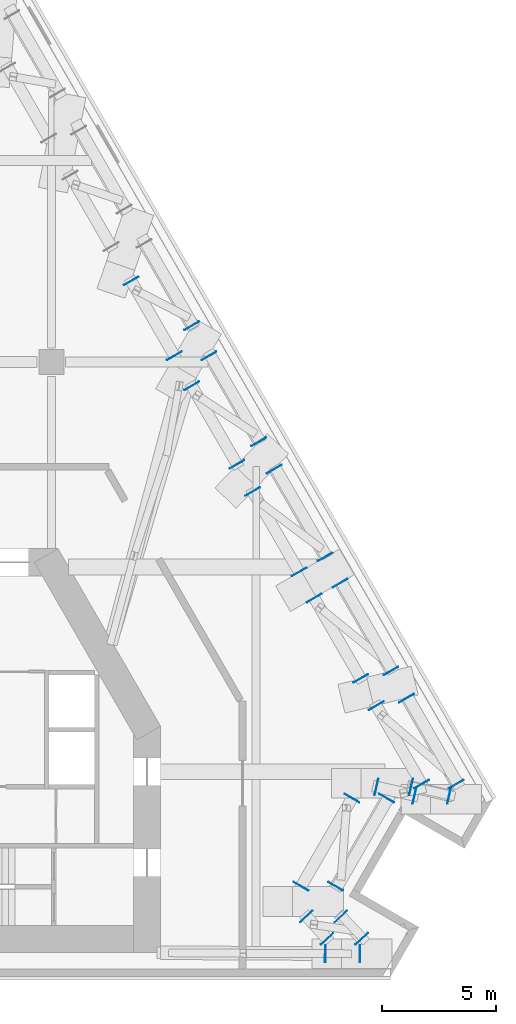
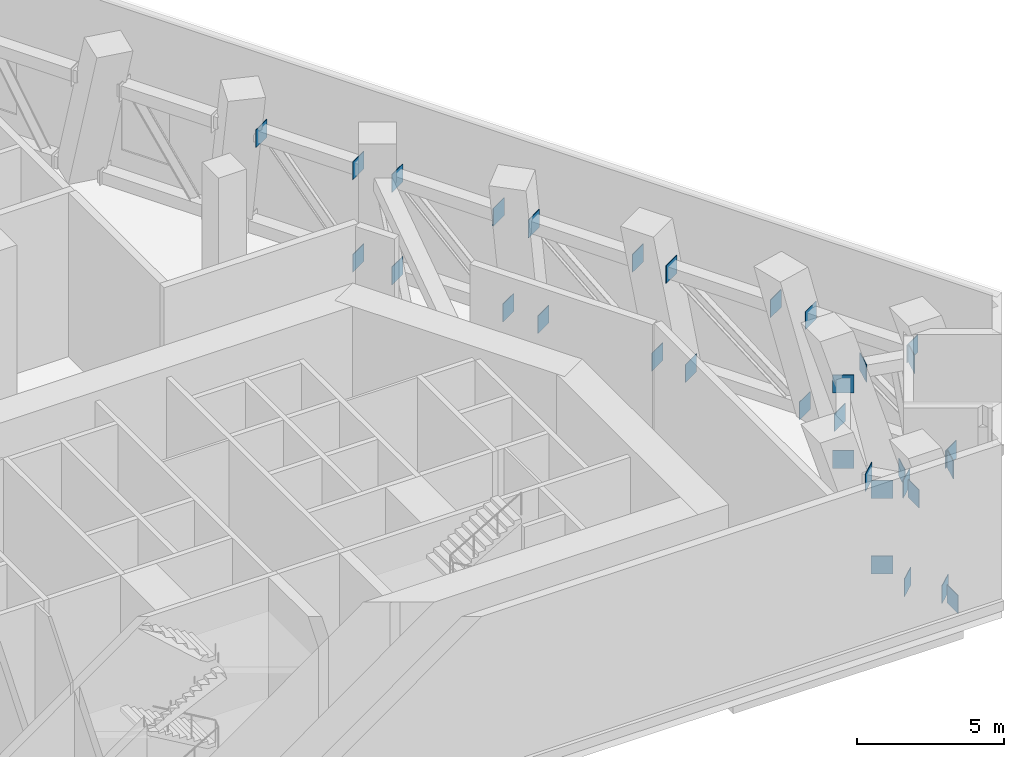
# One storey, part 11 of 13: 33 discrete accessories.
"""IFC4 building model written with IfcOpenShell, lengths in metres."""

from ifc_helpers import new_model, si_unit, direction, frame, origin, origin_2d, place, context, subcontext, project, spatial, rectangle, extrude, material, layer, layer_set, type_object, element, save


model = new_model("IFC4")

# Units and contexts
model_context = context("Model", 3, precision=1e-05, world=origin(), true_north=direction((0.0, 1.0)))
body_context = subcontext(model_context, "Body", "Model", "MODEL_VIEW")
ifc_project = project(units=[si_unit("LENGTHUNIT", "METRE"), si_unit("AREAUNIT", "SQUARE_METRE"), si_unit("VOLUMEUNIT", "CUBIC_METRE"), si_unit("PLANEANGLEUNIT", "RADIAN"), si_unit("MASSUNIT", "GRAM", prefix="KILO")], contexts=[model_context])

# Site, building, storey
site_placement = place(None, origin())
site = spatial("IfcSite", under=ifc_project, at=site_placement, CompositionType="ELEMENT")
building_placement = place(site_placement, origin())
building = spatial("IfcBuilding", under=site, at=building_placement, Name="Fogline Exchange Tower", CompositionType="ELEMENT")
storey_placement = place(building_placement, frame((0.0, 0.0, 174.89990234375)))
storey = spatial("IfcBuildingStorey", under=building, at=storey_placement, Name="L39", CompositionType="ELEMENT", Elevation=174.89990234375)

# Discrete accessories
ifc_material = material(Name="Steel Q355B", Category="steel")
ifc_layer = layer(ifc_material, 0.02490234375)
ifc_layer_set = layer_set([ifc_layer], Name="BE02")
discrete_accessory_type = type_object("IfcDiscreteAccessoryType", Name="BE02", PredefinedType="USERDEFINED", material=ifc_layer_set)
for number, where, z_axis, x_axis, name in (
    (1, (22.5556640625, 1.0, -0.1201171875), (0.0, 0.0, 1.0), (0.999983743695, -0.005701959768, 0.0), "Belt truss chord end plate BT4-2-BC"),
    (2, (21.03515625, 1.0, 4.7802734375), (0.0, 0.0, 1.0), (0.999976200017, -0.006899231799, 0.0), "Belt truss chord end plate BT4-2-TC"),
    (3, (22.635986328125, 1.6591796875, -0.1201171875), (0.0, 0.0, 1.0), (0.68078095751, -0.732487056467, 0.0), "Belt truss chord end plate BT5-1-BC"),
    (4, (21.724609375, 2.639892578125, -0.1201171875), (0.0, 0.0, 1.0), (-0.68078095751, 0.732487056467, 0.0), "Belt truss chord end plate BT5-1-BC"),
    (5, (21.115478515625, 1.6591796875, 4.7802734375), (0.0, 0.0, 1.0), (0.68078095751, -0.732487056467, 0.0), "Belt truss chord end plate BT5-1-TC"),
    (6, (20.2041015625, 2.639892578125, 4.7802734375), (0.0, 0.0, 1.0), (-0.68078095751, 0.732487056467, 0.0), "Belt truss chord end plate BT5-1-TC"),
    (7, (21.493408203125, 3.9599609375, -0.1201171875), (0.0, 0.0, 1.0), (-0.5, -0.866025403784, 0.0), "Belt truss chord end plate BT6-1-BC"),
    (8, (23.73046875, 7.83447265625, -0.1201171875), (0.0, 0.0, 1.0), (0.5, 0.866025403784, 0.0), "Belt truss chord end plate BT6-1-BC"),
    (9, (19.972900390625, 3.9599609375, 4.7802734375), (0.0, 0.0, 1.0), (-0.5, -0.866025403784, 0.0), "Belt truss chord end plate BT6-1-TC"),
    (10, (22.2099609375, 7.83447265625, 4.7802734375), (0.0, 0.0, 1.0), (0.5, 0.866025403784, 0.0), "Belt truss chord end plate BT6-1-TC"),
    (11, (24.8046875, 8.33642578125, -0.1201171875), (0.0, 0.0, 1.0), (-0.974742877599, 0.223330075383, 0.0), "Belt truss chord end plate BT7-1-BC"),
    (12, (26.478759765625, 7.952880859375, -0.1201171875), (0.0, 0.0, 1.0), (0.974742877599, -0.223330075383, 0.0), "Belt truss chord end plate BT7-1-BC"),
    (13, (23.2841796875, 8.33642578125, 4.7802734375), (0.0, 0.0, 1.0), (-0.974742877599, 0.223330075383, 0.0), "Belt truss chord end plate BT7-1-TC"),
    (14, (24.9580078125, 7.952880859375, 4.7802734375), (0.0, 0.0, 1.0), (0.974742877599, -0.223330075383, 0.0), "Belt truss chord end plate BT7-1-TC"),
    (15, (26.789794921875, 8.455078125, -0.1201171875), (0.0, 0.0, 1.0), (0.5, -0.866025403784, 0.0), "Belt truss chord end plate BT8-1-BC"),
    (16, (24.60986328125, 12.23095703125, -0.1201171875), (0.0, 0.0, 1.0), (-0.5, 0.866025403784, 0.0), "Belt truss chord end plate BT8-1-BC"),
    (17, (25.269287109375, 8.455078125, 4.7802734375), (0.0, 0.0, 1.0), (0.5, -0.866025403784, 0.0), "Belt truss chord end plate BT8-1-TC"),
    (18, (23.279296875, 11.90185546875, 4.7802734375), (0.0, 0.0, 1.0), (-0.5, 0.866025403784, 0.0), "Belt truss chord end plate BT8-1-TC"),
    (19, (23.9208984375, 13.424560546875, -0.1201171875), (0.0, 0.0, 1.0), (0.5, -0.866025403784, 0.0), "Belt truss chord end plate BT9-1-BC"),
    (20, (21.6904296875, 17.28759765625, -0.1201171875), (0.0, 0.0, 1.0), (-0.5, 0.866025403784, 0.0), "Belt truss chord end plate BT9-1-BC"),
    (21, (22.59033203125, 13.09521484375, 4.7802734375), (0.0, 0.0, 1.0), (0.5, -0.866025403784, 0.0), "Belt truss chord end plate BT9-1-TC"),
    (22, (20.550048828125, 16.629150390625, 4.7802734375), (0.0, 0.0, 1.0), (-0.5, 0.866025403784, 0.0), "Belt truss chord end plate BT9-1-TC"),
    (23, (21.028076171875, 18.43505859375, -0.1201171875), (0.0, 0.0, 1.0), (0.5, -0.866025403784, 0.0), "Belt truss chord end plate BT10-1-BC"),
    (24, (18.797607421875, 22.298095703125, -0.1201171875), (0.0, 0.0, 1.0), (-0.5, 0.866025403784, 0.0), "Belt truss chord end plate BT10-1-BC"),
    (25, (19.887451171875, 17.776611328125, 4.7802734375), (0.0, 0.0, 1.0), (0.5, -0.866025403784, 0.0), "Belt truss chord end plate BT10-1-TC"),
    (26, (17.847412109375, 21.310302734375, 4.7802734375), (0.0, 0.0, 1.0), (-0.5, 0.866025403784, 0.0), "Belt truss chord end plate BT10-1-TC"),
    (27, (18.108642578125, 23.491455078125, -0.1201171875), (0.0, 0.0, 1.0), (0.5, -0.866025403784, 0.0), "Belt truss chord end plate BT11-1-BC"),
    (28, (15.9287109375, 27.267333984375, -0.1201171875), (0.0, 0.0, 1.0), (-0.5, 0.866025403784, 0.0), "Belt truss chord end plate BT11-1-BC"),
    (29, (17.158203125, 22.50390625, 4.7802734375), (0.0, 0.0, 1.0), (0.5, -0.866025403784, 0.0), "Belt truss chord end plate BT11-1-TC"),
    (30, (15.168212890625, 25.95068359375, 4.7802734375), (0.0, 0.0, 1.0), (-0.5, 0.866025403784, 0.0), "Belt truss chord end plate BT11-1-TC"),
    (31, (15.16552734375, 28.589111328125, -0.1201171875), (0.0, 0.0, 1.0), (0.5, -0.866025403784, 0.0), "Belt truss chord end plate BT12-1-BC"),
    (32, (14.4052734375, 27.272216796875, 4.7802734375), (0.0, 0.0, 1.0), (0.5, -0.866025403784, 0.0), "Belt truss chord end plate BT12-1-TC"),
    (33, (12.5068359375, 30.560302734375, 4.7802734375), (0.0, 0.0, 1.0), (-0.5, 0.866025403784, 0.0), "Belt truss chord end plate BT12-1-TC"),
):
    element("IfcDiscreteAccessory", number, at=place(storey_placement, frame(where, z_axis=z_axis, x_axis=x_axis)), inside=storey, type_object=discrete_accessory_type, Name=name, ObjectType="END PLATE", PredefinedType="USERDEFINED", context=body_context, shape_type="SweptSolid", body=[
        extrude(rectangle(XDim=0.02490234375, YDim=0.739990234375, at=origin_2d()), origin(), (0.0, 0.0, 1.0), 0.739990234375),
    ])

save(model, "model.ifc")
